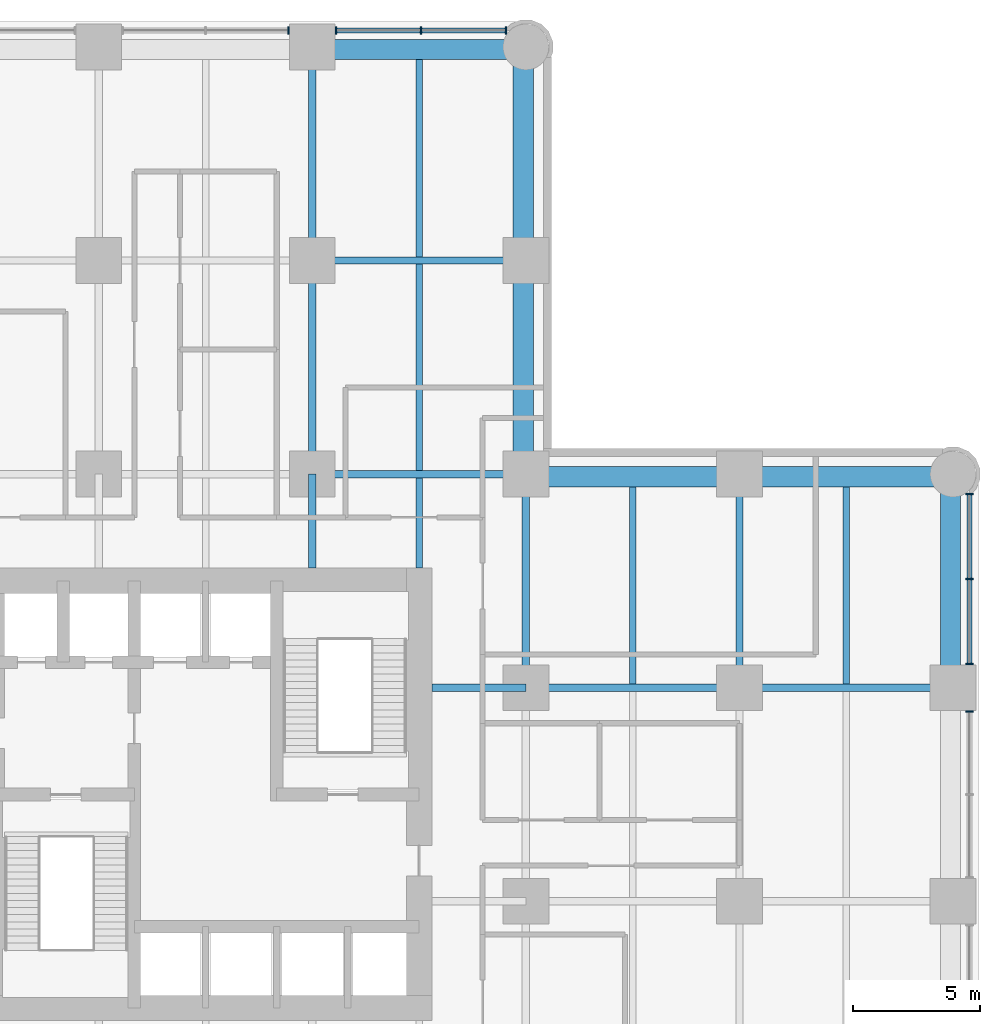
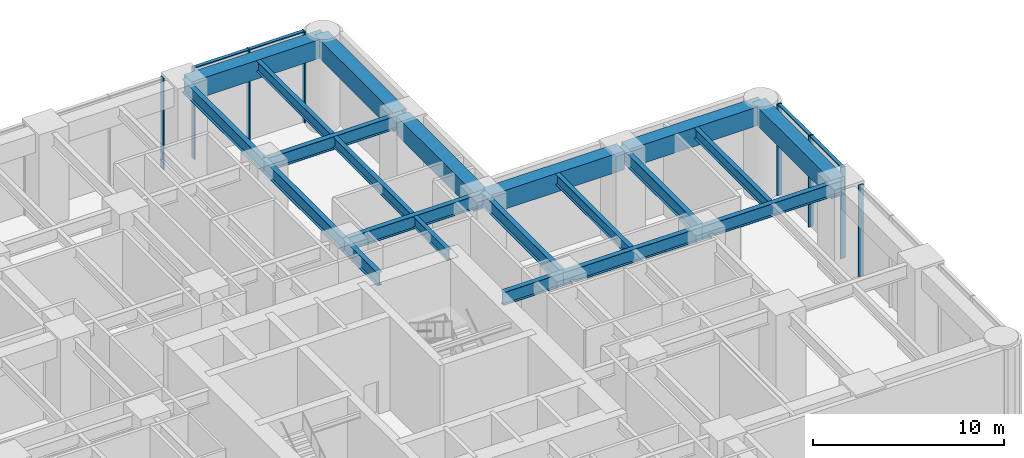
# One storey, part 5 of 11: 21 beams, 12 members, 2 elements without a shape of their own.
"""IFC4 building model written with IfcOpenShell, lengths in metres."""

from ifc_helpers import new_model, si_unit, direction, frame, origin, origin_2d, place, context, subcontext, project, spatial, rectangle, i_section, extrude, material, material_profile, profile_set, type_object, element, aggregate, save


model = new_model("IFC4")

# Units and contexts
model_context = context("Model", 3, precision=1e-05, world=origin(), true_north=direction((0.0, 1.0)))
body_context = subcontext(model_context, "Body", "Model", "MODEL_VIEW")
ifc_project = project(units=[si_unit("LENGTHUNIT", "METRE"), si_unit("AREAUNIT", "SQUARE_METRE"), si_unit("VOLUMEUNIT", "CUBIC_METRE"), si_unit("PLANEANGLEUNIT", "RADIAN"), si_unit("MASSUNIT", "GRAM", prefix="KILO")], contexts=[model_context])

# Site, building, storey
site_placement = place(None, origin())
site = spatial("IfcSite", under=ifc_project, at=site_placement, CompositionType="ELEMENT")
building_placement = place(site_placement, origin())
building = spatial("IfcBuilding", under=site, at=building_placement, Name="Torre Alcanfor", CompositionType="ELEMENT")
storey_placement = place(building_placement, frame((0.0, 0.0, 28.5)))
storey = spatial("IfcBuildingStorey", under=building, at=storey_placement, Name="L06", CompositionType="ELEMENT", Elevation=28.5)

# Curtain wall, members
ifc_material_1 = material(Name="Aluminium and glass", Category="aluminium")
curtain_wall_type = type_object("IfcCurtainWallType", Name="CW-D plant floor louvre screen", PredefinedType="NOTDEFINED", material=ifc_material_1)
curtain_wall_1_placement = place(storey_placement, origin())
curtain_wall_1 = element("IfcCurtainWall", 1, at=curtain_wall_1_placement, inside=storey, type_object=curtain_wall_type, Name="Curtain wall CW-D L06 8", PredefinedType="NOTDEFINED")
ifc_material_2 = material(Name="Extruded aluminium", Category="aluminium")
ifc_material_profile_1 = material_profile(ifc_material_2, rectangle(XDim=0.300048828125, YDim=0.06494140625, at=origin_2d()), Name="CW-D mullion 65x300")
ifc_profile_set_1 = profile_set([ifc_material_profile_1], Name="Extruded aluminium")
member_type_1 = type_object("IfcMemberType", Name="CW-D mullion 65x300", PredefinedType="MULLION", material=ifc_profile_set_1)
member_1_placement = place(storey_placement, frame((59.449951171875, 32.66259765625, 0.0), z_axis=(0.0, 0.0, 1.0), x_axis=(-1.0, 0.0, 0.0)))
member_1 = element("IfcMember", 2, at=member_1_placement, type_object=member_type_1, Name="CW-D mullion 2.3", PredefinedType="MULLION", context=body_context, shape_type="SweptSolid", body=[
    extrude(rectangle(XDim=0.300048828125, YDim=0.06494140625, at=origin_2d()), origin(), (0.0, 0.0, 1.0), 5.85009765625),
])
member_2_placement = place(storey_placement, frame((59.449951171875, 34.53759765625, 0.0), z_axis=(0.0, 0.0, 1.0), x_axis=(-1.0, 0.0, 0.0)))
member_2 = element("IfcMember", 3, at=member_2_placement, type_object=member_type_1, Name="CW-D mullion 3.1", PredefinedType="MULLION", context=body_context, shape_type="SweptSolid", body=[
    extrude(rectangle(XDim=0.300048828125, YDim=0.06494140625, at=origin_2d()), origin(), (0.0, 0.0, 1.0), 5.85009765625),
])
member_3_placement = place(storey_placement, frame((59.449951171875, 37.875244140625, 0.0), z_axis=(0.0, 0.0, 1.0), x_axis=(-1.0, 0.0, 0.0)))
member_3 = element("IfcMember", 4, at=member_3_placement, type_object=member_type_1, Name="CW-D mullion 3.2", PredefinedType="MULLION", context=body_context, shape_type="SweptSolid", body=[
    extrude(rectangle(XDim=0.300048828125, YDim=0.06494140625, at=origin_2d()), origin(), (0.0, 0.0, 1.0), 5.85009765625),
])
member_4_placement = place(storey_placement, frame((59.449951171875, 41.213134765625, 0.0), z_axis=(0.0, 0.0, 1.0), x_axis=(-1.0, 0.0, 0.0)))
member_4 = element("IfcMember", 5, at=member_4_placement, type_object=member_type_1, Name="CW-D mullion 3.3", PredefinedType="MULLION", context=body_context, shape_type="SweptSolid", body=[
    extrude(rectangle(XDim=0.300048828125, YDim=0.06494140625, at=origin_2d()), origin(), (0.0, 0.0, 1.0), 5.85009765625),
])

curtain_wall_2_placement = place(storey_placement, origin())
curtain_wall_2 = element("IfcCurtainWall", 6, at=curtain_wall_2_placement, inside=storey, type_object=curtain_wall_type, Name="Curtain wall CW-D L06 11", PredefinedType="NOTDEFINED")
member_5_placement = place(storey_placement, frame((41.213134765625, 59.449951171875, 0.0), z_axis=(0.0, 0.0, 1.0), x_axis=(0.0, -1.0, 0.0)))
member_5 = element("IfcMember", 7, at=member_5_placement, type_object=member_type_1, Name="CW-D mullion 1.1", PredefinedType="MULLION", context=body_context, shape_type="SweptSolid", body=[
    extrude(rectangle(XDim=0.300048828125, YDim=0.06494140625, at=origin_2d()), origin(), (0.0, 0.0, 1.0), 5.85009765625),
])
member_6_placement = place(storey_placement, frame((37.875244140625, 59.449951171875, 0.0), z_axis=(0.0, 0.0, 1.0), x_axis=(0.0, -1.0, 0.0)))
member_6 = element("IfcMember", 8, at=member_6_placement, type_object=member_type_1, Name="CW-D mullion 1.2", PredefinedType="MULLION", context=body_context, shape_type="SweptSolid", body=[
    extrude(rectangle(XDim=0.300048828125, YDim=0.06494140625, at=origin_2d()), origin(), (0.0, 0.0, 1.0), 5.85009765625),
])
member_7_placement = place(storey_placement, frame((34.53759765625, 59.449951171875, 0.0), z_axis=(0.0, 0.0, 1.0), x_axis=(0.0, -1.0, 0.0)))
member_7 = element("IfcMember", 9, at=member_7_placement, type_object=member_type_1, Name="CW-D mullion 1.3", PredefinedType="MULLION", context=body_context, shape_type="SweptSolid", body=[
    extrude(rectangle(XDim=0.300048828125, YDim=0.06494140625, at=origin_2d()), origin(), (0.0, 0.0, 1.0), 5.85009765625),
])
member_8_placement = place(storey_placement, frame((32.66259765625, 59.449951171875, 0.0), z_axis=(0.0, 0.0, 1.0), x_axis=(0.0, -1.0, 0.0)))
member_8 = element("IfcMember", 10, at=member_8_placement, type_object=member_type_1, Name="CW-D mullion 2.1", PredefinedType="MULLION", context=body_context, shape_type="SweptSolid", body=[
    extrude(rectangle(XDim=0.300048828125, YDim=0.06494140625, at=origin_2d()), origin(), (0.0, 0.0, 1.0), 5.85009765625),
])

# Member
ifc_material_3 = material(Name="Extruded aluminium", Category="aluminium")
ifc_material_profile_2 = material_profile(ifc_material_3, rectangle(XDim=0.199951171875, YDim=0.06494140625, at=origin_2d()), Name="CW-D transom 200x65")
ifc_profile_set_2 = profile_set([ifc_material_profile_2], Name="Extruded aluminium")
member_type_2 = type_object("IfcMemberType", Name="CW-D transom 65x200", PredefinedType="USERDEFINED", material=ifc_profile_set_2)
member_9_placement = place(storey_placement, frame((59.449951171875, 34.570068359375, 5.8173828125), z_axis=(0.0, 1.0, 0.0), x_axis=(-1.0, 0.0, 0.0)))
member_9 = element("IfcMember", 11, at=member_9_placement, type_object=member_type_2, Name="CW-D transom 3.1.2", ObjectType="TRANSOM", PredefinedType="USERDEFINED", context=body_context, shape_type="SweptSolid", body=[
    extrude(rectangle(XDim=0.199951171875, YDim=0.06494140625, at=origin_2d()), origin(), (0.0, 0.0, 1.0), 3.272705078125),
])

member_10_placement = place(storey_placement, frame((59.449951171875, 37.907958984375, 5.8173828125), z_axis=(0.0, 1.0, 0.0), x_axis=(-1.0, 0.0, 0.0)))
member_10 = element("IfcMember", 12, at=member_10_placement, type_object=member_type_2, Name="CW-D transom 3.2.2", ObjectType="TRANSOM", PredefinedType="USERDEFINED", context=body_context, shape_type="SweptSolid", body=[
    extrude(rectangle(XDim=0.199951171875, YDim=0.06494140625, at=origin_2d()), origin(), (0.0, 0.0, 1.0), 3.272705078125),
])

aggregate(curtain_wall_1, [member_1, member_2, member_3, member_4, member_9, member_10])

member_11_placement = place(storey_placement, frame((41.1806640625, 59.449951171875, 5.8173828125), z_axis=(-1.0, 0.0, 0.0), x_axis=(0.0, -1.0, 0.0)))
member_11 = element("IfcMember", 13, at=member_11_placement, type_object=member_type_2, Name="CW-D transom 1.1.2", ObjectType="TRANSOM", PredefinedType="USERDEFINED", context=body_context, shape_type="SweptSolid", body=[
    extrude(rectangle(XDim=0.199951171875, YDim=0.06494140625, at=origin_2d()), origin(), (0.0, 0.0, 1.0), 3.272705078125),
])

member_12_placement = place(storey_placement, frame((37.8427734375, 59.449951171875, 5.8173828125), z_axis=(-1.0, 0.0, 0.0), x_axis=(0.0, -1.0, 0.0)))
member_12 = element("IfcMember", 14, at=member_12_placement, type_object=member_type_2, Name="CW-D transom 1.2.2", ObjectType="TRANSOM", PredefinedType="USERDEFINED", context=body_context, shape_type="SweptSolid", body=[
    extrude(rectangle(XDim=0.199951171875, YDim=0.06494140625, at=origin_2d()), origin(), (0.0, 0.0, 1.0), 3.272705078125),
])

aggregate(curtain_wall_2, [member_5, member_6, member_7, member_11, member_12, member_8])

# Beams
ifc_material_4 = material(Name="Steel ASTM A992 Grade 50", Category="steel")
ifc_material_profile_3 = material_profile(ifc_material_4, i_section(OverallWidth=0.2919921875, OverallDepth=0.8408203125, WebThickness=0.0146484375, FlangeThickness=0.021728515625, at=origin_2d()), Name="W33x130")
ifc_profile_set_3 = profile_set([ifc_material_profile_3], Name="Steel ASTM A992 Grade 50")
beam_type_1 = type_object("IfcBeamType", Name="Girder W33x130", PredefinedType="BEAM", material=ifc_profile_set_3)
beam_1_placement = place(storey_placement, frame((42.0, 33.60009765625, 5.4296875), z_axis=(1.0, 0.0, 0.0), x_axis=(0.0, 1.0, 0.0)))
element("IfcBeam", 15, at=beam_1_placement, inside=storey, type_object=beam_type_1, Name="Beam 6G-7G under L07", PredefinedType="BEAM", context=body_context, shape_type="SweptSolid", body=[
    extrude(i_section(OverallWidth=0.2919921875, OverallDepth=0.8408203125, WebThickness=0.0146484375, FlangeThickness=0.021728515625, at=origin_2d()), origin(), (0.0, 0.0, 1.0), 8.39990234375),
])
beam_2_placement = place(storey_placement, frame((50.39990234375, 33.60009765625, 5.4296875), z_axis=(1.0, 0.0, 0.0), x_axis=(0.0, 1.0, 0.0)))
element("IfcBeam", 16, at=beam_2_placement, inside=storey, type_object=beam_type_1, Name="Beam 7G-8G under L07", PredefinedType="BEAM", context=body_context, shape_type="SweptSolid", body=[
    extrude(i_section(OverallWidth=0.2919921875, OverallDepth=0.8408203125, WebThickness=0.0146484375, FlangeThickness=0.021728515625, at=origin_2d()), origin(), (0.0, 0.0, 1.0), 8.400146484375),
])
for number, where, z_axis, x_axis, name in (
    (17, (33.60009765625, 42.0, 5.4296875), (1.0, 0.0, 0.0), (0.0, 1.0, 0.0), "Beam 5H-6H under L07"),
    (18, (33.60009765625, 50.39990234375, 5.4296875), (1.0, 0.0, 0.0), (0.0, 1.0, 0.0), "Beam 5J-6J under L07"),
    (19, (33.60009765625, 42.0, 5.4296875), (0.0, 1.0, 0.0), (-1.0, 0.0, 0.0), "Beam 5H-5J under L07"),
):
    element("IfcBeam", number, at=place(storey_placement, frame(where, z_axis=z_axis, x_axis=x_axis)), inside=storey, type_object=beam_type_1, Name=name, PredefinedType="BEAM", context=body_context, shape_type="SweptSolid", body=[
        extrude(i_section(OverallWidth=0.2919921875, OverallDepth=0.8408203125, WebThickness=0.0146484375, FlangeThickness=0.021728515625, at=origin_2d()), origin(), (0.0, 0.0, 1.0), 8.39990234375),
    ])
beam_3_placement = place(storey_placement, frame((33.60009765625, 50.39990234375, 5.4296875), z_axis=(0.0, 1.0, 0.0), x_axis=(-1.0, 0.0, 0.0)))
element("IfcBeam", 20, at=beam_3_placement, inside=storey, type_object=beam_type_1, Name="Beam 5J-5K under L07", PredefinedType="BEAM", context=body_context, shape_type="SweptSolid", body=[
    extrude(i_section(OverallWidth=0.2919921875, OverallDepth=0.8408203125, WebThickness=0.0146484375, FlangeThickness=0.021728515625, at=origin_2d()), origin(), (0.0, 0.0, 1.0), 8.400146484375),
])
for number, where, z_axis, x_axis, name in (
    (21, (42.0, 33.60009765625, 5.4296875), (0.0, 1.0, 0.0), (-1.0, 0.0, 0.0), "Beam 6G-6H under L07"),
    (22, (50.39990234375, 33.60009765625, 5.4296875), (0.0, 1.0, 0.0), (-1.0, 0.0, 0.0), "Beam 7G-7H under L07"),
):
    element("IfcBeam", number, at=place(storey_placement, frame(where, z_axis=z_axis, x_axis=x_axis)), inside=storey, type_object=beam_type_1, Name=name, PredefinedType="BEAM", context=body_context, shape_type="SweptSolid", body=[
        extrude(i_section(OverallWidth=0.2919921875, OverallDepth=0.8408203125, WebThickness=0.0146484375, FlangeThickness=0.021728515625, at=origin_2d()), origin(), (0.0, 0.0, 1.0), 8.39990234375),
    ])
ifc_material_5 = material(Name="Steel ASTM A992 Grade 50", Category="steel")
ifc_material_profile_4 = material_profile(ifc_material_5, i_section(OverallWidth=0.2919921875, OverallDepth=0.8408203125, WebThickness=0.0146484375, FlangeThickness=0.021728515625, at=origin_2d()), Name="W33x130")
ifc_profile_set_4 = profile_set([ifc_material_profile_4], Name="Steel ASTM A992 Grade 50")
beam_type_2 = type_object("IfcBeamType", Name="Girder, part bay W33x130", PredefinedType="BEAM", material=ifc_profile_set_4)
for number, where, z_axis, x_axis, name in (
    (23, (33.60009765625, 42.0, 5.4296875), (0.0, -1.0, 0.0), (1.0, 0.0, 0.0), "Beam 5H-538_3 under L07"),
    (24, (42.0, 33.60009765625, 5.4296875), (-1.0, 0.0, 0.0), (0.0, -1.0, 0.0), "Beam 6G-38_3G under L07"),
):
    element("IfcBeam", number, at=place(storey_placement, frame(where, z_axis=z_axis, x_axis=x_axis)), inside=storey, type_object=beam_type_2, Name=name, PredefinedType="BEAM", context=body_context, shape_type="SweptSolid", body=[
        extrude(i_section(OverallWidth=0.2919921875, OverallDepth=0.8408203125, WebThickness=0.0146484375, FlangeThickness=0.021728515625, at=origin_2d()), origin(), (0.0, 0.0, 1.0), 3.699951171875),
    ])
ifc_material_6 = material(Name="Concrete f'c 70 MPa", Category="concrete")
ifc_material_profile_5 = material_profile(ifc_material_6, rectangle(XDim=0.800048828125, YDim=1.199951171875, at=origin_2d()), Name="800x1200")
ifc_profile_set_5 = profile_set([ifc_material_profile_5], Name="Concrete f'c 70 MPa")
beam_type_3 = type_object("IfcBeamType", Name="RC perimeter beam 800x1200", PredefinedType="BEAM", material=ifc_profile_set_5)
beam_4_placement = place(storey_placement, frame((42.14599609375, 41.89990234375, 5.25), z_axis=(1.0, 0.0, 0.0), x_axis=(0.0, 1.0, 0.0)))
element("IfcBeam", 25, at=beam_4_placement, inside=storey, type_object=beam_type_3, Name="Beam 6H-7H under L07", PredefinedType="BEAM", context=body_context, shape_type="SweptSolid", body=[
    extrude(rectangle(XDim=0.800048828125, YDim=1.199951171875, at=origin_2d()), origin(), (0.0, 0.0, 1.0), 8.10791015625),
])
beam_5_placement = place(storey_placement, frame((50.5458984375, 41.89990234375, 5.25), z_axis=(1.0, 0.0, 0.0), x_axis=(0.0, 1.0, 0.0)))
element("IfcBeam", 26, at=beam_5_placement, inside=storey, type_object=beam_type_3, Name="Beam 7H-8H under L07", PredefinedType="BEAM", context=body_context, shape_type="SweptSolid", body=[
    extrude(rectangle(XDim=0.800048828125, YDim=1.199951171875, at=origin_2d()), origin(), (0.0, 0.0, 1.0), 8.254150390625),
])
beam_6_placement = place(storey_placement, frame((33.74609375, 58.699951171875, 5.25), z_axis=(1.0, 0.0, 0.0), x_axis=(0.0, 1.0, 0.0)))
element("IfcBeam", 27, at=beam_6_placement, inside=storey, type_object=beam_type_3, Name="Beam 5K-6K under L07", PredefinedType="BEAM", context=body_context, shape_type="SweptSolid", body=[
    extrude(rectangle(XDim=0.800048828125, YDim=1.199951171875, at=origin_2d()), origin(), (0.0, 0.0, 1.0), 8.25390625),
])
beam_7_placement = place(storey_placement, frame((41.89990234375, 42.14599609375, 5.25), z_axis=(0.0, 1.0, 0.0), x_axis=(-1.0, 0.0, 0.0)))
element("IfcBeam", 28, at=beam_7_placement, inside=storey, type_object=beam_type_3, Name="Beam 6H-6J under L07", PredefinedType="BEAM", context=body_context, shape_type="SweptSolid", body=[
    extrude(rectangle(XDim=0.800048828125, YDim=1.199951171875, at=origin_2d()), origin(), (0.0, 0.0, 1.0), 8.10791015625),
])
beam_8_placement = place(storey_placement, frame((41.89990234375, 50.5458984375, 5.25), z_axis=(0.0, 1.0, 0.0), x_axis=(-1.0, 0.0, 0.0)))
element("IfcBeam", 29, at=beam_8_placement, inside=storey, type_object=beam_type_3, Name="Beam 6J-6K under L07", PredefinedType="BEAM", context=body_context, shape_type="SweptSolid", body=[
    extrude(rectangle(XDim=0.800048828125, YDim=1.199951171875, at=origin_2d()), origin(), (0.0, 0.0, 1.0), 8.254150390625),
])
beam_9_placement = place(storey_placement, frame((58.699951171875, 33.74609375, 5.25), z_axis=(0.0, 1.0, 0.0), x_axis=(-1.0, 0.0, 0.0)))
element("IfcBeam", 30, at=beam_9_placement, inside=storey, type_object=beam_type_3, Name="Beam 8G-8H under L07", PredefinedType="BEAM", context=body_context, shape_type="SweptSolid", body=[
    extrude(rectangle(XDim=0.800048828125, YDim=1.199951171875, at=origin_2d()), origin(), (0.0, 0.0, 1.0), 8.25390625),
])
ifc_material_7 = material(Name="Steel ASTM A992 Grade 50", Category="steel")
ifc_material_profile_6 = material_profile(ifc_material_7, i_section(OverallWidth=0.25390625, OverallDepth=0.683349609375, WebThickness=0.012451171875, FlangeThickness=0.01904296875, at=origin_2d()), Name="W27x94")
ifc_profile_set_6 = profile_set([ifc_material_profile_6], Name="Steel ASTM A992 Grade 50")
beam_type_4 = type_object("IfcBeamType", Name="Secondary beam W27x94", PredefinedType="BEAM", material=ifc_profile_set_6)
beam_10_placement = place(storey_placement, frame((37.800048828125, 42.14599609375, 5.50830078125), z_axis=(0.0, 1.0, 0.0), x_axis=(-1.0, 0.0, 0.0)))
element("IfcBeam", 31, at=beam_10_placement, inside=storey, type_object=beam_type_4, Name="Beam 37_8H-37_8J under L07", PredefinedType="BEAM", context=body_context, shape_type="SweptSolid", body=[
    extrude(i_section(OverallWidth=0.25390625, OverallDepth=0.683349609375, WebThickness=0.012451171875, FlangeThickness=0.01904296875, at=origin_2d()), origin(), (0.0, 0.0, 1.0), 8.10791015625),
])
beam_11_placement = place(storey_placement, frame((37.800048828125, 50.5458984375, 5.50830078125), z_axis=(0.0, 1.0, 0.0), x_axis=(-1.0, 0.0, 0.0)))
element("IfcBeam", 32, at=beam_11_placement, inside=storey, type_object=beam_type_4, Name="Beam 37_8J-37_8K under L07", PredefinedType="BEAM", context=body_context, shape_type="SweptSolid", body=[
    extrude(i_section(OverallWidth=0.25390625, OverallDepth=0.683349609375, WebThickness=0.012451171875, FlangeThickness=0.01904296875, at=origin_2d()), origin(), (0.0, 0.0, 1.0), 7.754150390625),
])
for number, where, z_axis, x_axis, name in (
    (33, (46.199951171875, 33.74609375, 5.50830078125), (0.0, 1.0, 0.0), (-1.0, 0.0, 0.0), "Beam 46_2G-46_2H under L07"),
    (34, (54.60009765625, 33.74609375, 5.50830078125), (0.0, 1.0, 0.0), (-1.0, 0.0, 0.0), "Beam 54_6G-54_6H under L07"),
):
    element("IfcBeam", number, at=place(storey_placement, frame(where, z_axis=z_axis, x_axis=x_axis)), inside=storey, type_object=beam_type_4, Name=name, PredefinedType="BEAM", context=body_context, shape_type="SweptSolid", body=[
        extrude(i_section(OverallWidth=0.25390625, OverallDepth=0.683349609375, WebThickness=0.012451171875, FlangeThickness=0.01904296875, at=origin_2d()), origin(), (0.0, 0.0, 1.0), 7.75390625),
    ])
ifc_material_8 = material(Name="Steel ASTM A992 Grade 50", Category="steel")
ifc_material_profile_7 = material_profile(ifc_material_8, i_section(OverallWidth=0.25390625, OverallDepth=0.683349609375, WebThickness=0.012451171875, FlangeThickness=0.01904296875, at=origin_2d()), Name="W27x94")
ifc_profile_set_7 = profile_set([ifc_material_profile_7], Name="Steel ASTM A992 Grade 50")
beam_type_5 = type_object("IfcBeamType", Name="Secondary beam, part bay W27x94", PredefinedType="BEAM", material=ifc_profile_set_7)
beam_12_placement = place(storey_placement, frame((37.800048828125, 38.300048828125, 5.50830078125), z_axis=(0.0, 1.0, 0.0), x_axis=(-1.0, 0.0, 0.0)))
element("IfcBeam", 35, at=beam_12_placement, inside=storey, type_object=beam_type_5, Name="Beam 37_838_3-37_8H under L07", PredefinedType="BEAM", context=body_context, shape_type="SweptSolid", body=[
    extrude(i_section(OverallWidth=0.25390625, OverallDepth=0.683349609375, WebThickness=0.012451171875, FlangeThickness=0.01904296875, at=origin_2d()), origin(), (0.0, 0.0, 1.0), 3.553955078125),
])

save(model, "model.ifc")
